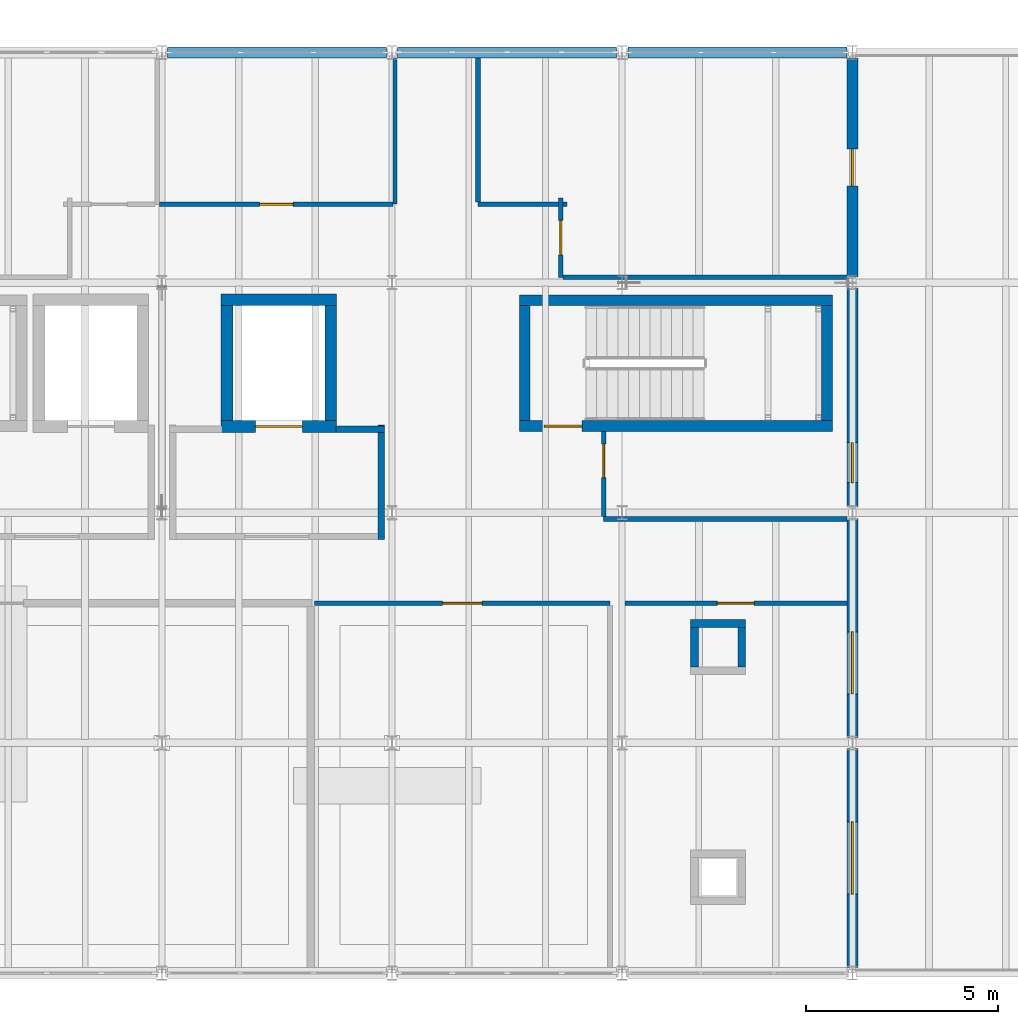
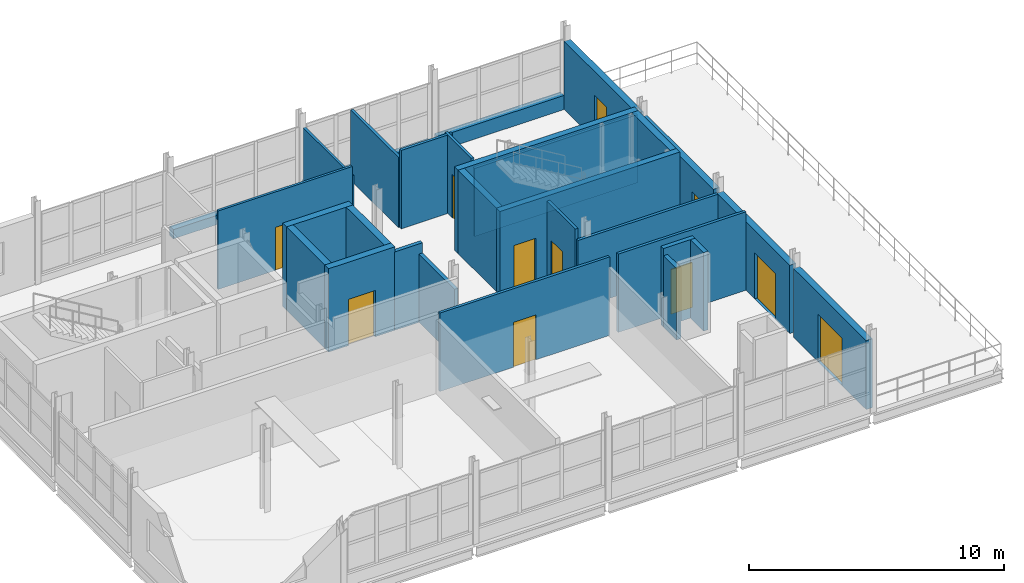
# One storey, part 19 of 23: 30 walls, 11 doors, 11 openings.
"""IFC4 building model written with IfcOpenShell, lengths in metres."""

from ifc_helpers import new_model, si_unit, direction, frame, frame_2d, origin, place, context, subcontext, project, spatial, rectangle, extrude, material, layer, layer_set, type_object, element, fill, save


model = new_model("IFC4")

# Units and contexts
model_context = context("Model", 3, precision=1e-05, world=origin(), true_north=direction((0.0, 1.0)))
body_context = subcontext(model_context, "Body", "Model", "MODEL_VIEW")
ifc_project = project(units=[si_unit("LENGTHUNIT", "METRE"), si_unit("AREAUNIT", "SQUARE_METRE"), si_unit("VOLUMEUNIT", "CUBIC_METRE"), si_unit("PLANEANGLEUNIT", "RADIAN"), si_unit("MASSUNIT", "GRAM", prefix="KILO")], contexts=[model_context])

# Site, building, storey
site_placement = place(None, origin())
site = spatial("IfcSite", under=ifc_project, at=site_placement, CompositionType="ELEMENT")
building_placement = place(site_placement, origin())
building = spatial("IfcBuilding", under=site, at=building_placement, Name="Siltcreek Boulevard Central Fire Station", CompositionType="ELEMENT")
storey_placement = place(building_placement, frame((0.0, 0.0, 14.0)))
storey = spatial("IfcBuildingStorey", under=building, at=storey_placement, Name="L04", CompositionType="ELEMENT", Elevation=14.0)

# Wall, opening, door
ifc_material_1 = material(Name="Concrete C40/50", Category="concrete")
ifc_layer_1 = layer(ifc_material_1, 0.280029296875, Name="Concrete C40/50")
ifc_layer_set_1 = layer_set([ifc_layer_1], Name="Concrete C40/50")
wall_type_1 = type_object("IfcWallType", Name="CW_SHEAR280", PredefinedType="SHEAR", material=ifc_layer_set_1)
wall_1_placement = place(storey_placement, frame((145.52001953125, 102.4599609375, 0.0), z_axis=(0.0, 0.0, 1.0), x_axis=(1.0, 0.0, 0.0)))
wall_1 = element("IfcWall", 1, at=wall_1_placement, inside=storey, type_object=wall_type_1, Name="L04 ST-V5B stair enclosure south shear wall", PredefinedType="SHEAR", context=body_context, shape_type="SweptSolid", body=[
    extrude(rectangle(XDim=8.159912109375, YDim=0.280029296875, at=frame_2d((4.080078125, 0.0))), origin(), (0.0, 0.0, 1.0), 4.0),
])
opening_1_placement = place(wall_1_placement, frame((0.64990234375, 0.0, 0.0)))
opening_1 = element("IfcOpeningElement", 2, at=opening_1_placement, cuts=wall_1, Name="Opening SD-042", PredefinedType="OPENING", context=body_context, shape_type="SweptSolid", body=[
    extrude(rectangle(XDim=0.97998046875, YDim=2.14990234375, at=frame_2d((0.489990234375, 1.074951171875))), frame((0.0, 0.14990234375, 0.0), z_axis=(0.0, -1.0, 0.0), x_axis=(1.0, 0.0, 0.0)), (0.0, 0.0, 1.0), 0.300048828125),
])
ifc_material_2 = material(Name="Hollow metal 90-min enclosed stair door")
door_type_1 = type_object("IfcDoorType", Name="DR_ST_098X215", OperationType="NOTDEFINED", PredefinedType="DOOR", material=ifc_material_2)
door_1_placement = place(opening_1_placement, origin())
door_1 = element("IfcDoor", 3, at=door_1_placement, inside=storey, type_object=door_type_1, Name="L04 ST-V5B enclosed exit stair door SD-042", OperationType="SINGLE_SWING_LEFT", OverallHeight=2.14990234375, OverallWidth=0.97998046875, PredefinedType="DOOR", context=body_context, shape_type="SweptSolid", body=[
    extrude(rectangle(XDim=0.97998046875, YDim=2.14990234375, at=frame_2d((0.489990234375, 1.074951171875))), frame((0.0, 0.02490234375, 0.0), z_axis=(0.0, -1.0, 0.0), x_axis=(1.0, 0.0, 0.0)), (0.0, 0.0, 1.0), 0.050048828125),
])
fill(opening_1, door_1)

# Walls
wall_2_placement = place(storey_placement, frame((153.679931640625, 105.739990234375, 0.0), z_axis=(0.0, 0.0, 1.0), x_axis=(-1.0, 0.0, 0.0)))
element("IfcWall", 4, at=wall_2_placement, inside=storey, type_object=wall_type_1, Name="L04 ST-V5B stair enclosure north shear wall", PredefinedType="SHEAR", context=body_context, shape_type="SweptSolid", body=[
    extrude(rectangle(XDim=8.159912109375, YDim=0.280029296875, at=frame_2d((4.080078125, 0.0))), origin(), (0.0, 0.0, 1.0), 4.0),
])
for number, where, z_axis, x_axis, name in (
    (5, (145.659912109375, 105.60009765625, 0.0), (0.0, 0.0, 1.0), (0.0, -1.0, 0.0), "L04 ST-V5B stair enclosure west shear wall"),
    (6, (153.5400390625, 102.60009765625, 0.0), (0.0, 0.0, 1.0), (0.0, 1.0, 0.0), "L04 ST-V5B stair enclosure east shear wall"),
):
    element("IfcWall", number, at=place(storey_placement, frame(where, z_axis=z_axis, x_axis=x_axis)), inside=storey, type_object=wall_type_1, Name=name, PredefinedType="SHEAR", context=body_context, shape_type="SweptSolid", body=[
        extrude(rectangle(XDim=3.0, YDim=0.280029296875, at=frame_2d((1.5, 0.0))), origin(), (0.0, 0.0, 1.0), 4.0),
    ])

# Wall, opening, door
ifc_layer_2 = layer(ifc_material_1, 0.304931640625, Name="Concrete C40/50")
ifc_layer_set_2 = layer_set([ifc_layer_2], Name="Concrete C40/50")
wall_type_2 = type_object("IfcWallType", Name="CW_SHEAR305", PredefinedType="SHEAR", material=ifc_layer_set_2)
wall_3_placement = place(storey_placement, frame((137.7451171875, 102.447509765625, 0.0), z_axis=(0.0, 0.0, 1.0), x_axis=(1.0, 0.0, 0.0)))
wall_3 = element("IfcWall", 7, at=wall_3_placement, inside=storey, type_object=wall_type_2, Name="L04 EL-02 elevator shaft south shear wall", PredefinedType="SHEAR", context=body_context, shape_type="SweptSolid", body=[
    extrude(rectangle(XDim=3.009765625, YDim=0.304931640625, at=frame_2d((1.5048828125, 0.0))), origin(), (0.0, 0.0, 1.0), 4.0),
])
opening_2_placement = place(wall_3_placement, frame((0.89501953125, 0.0, 0.0)))
opening_2 = element("IfcOpeningElement", 8, at=opening_2_placement, cuts=wall_3, Name="Opening LD02", PredefinedType="OPENING", context=body_context, shape_type="SweptSolid", body=[
    extrude(rectangle(XDim=1.219970703125, YDim=2.219970703125, at=frame_2d((0.60986328125, 1.10986328125))), frame((0.0, 0.162353515625, 0.0), z_axis=(0.0, -1.0, 0.0), x_axis=(1.0, 0.0, 0.0)), (0.0, 0.0, 1.0), 0.324951171875),
])
ifc_material_3 = material(Name="Stainless steel firefighting sliding elevator landing door", Category="steel")
door_type_2 = type_object("IfcDoorType", Name="DR_LD_122X222", OperationType="NOTDEFINED", PredefinedType="DOOR", material=ifc_material_3)
door_2_placement = place(opening_2_placement, origin())
door_2 = element("IfcDoor", 9, at=door_2_placement, inside=storey, type_object=door_type_2, Name="L04 EL-02 elevator sliding landing door LD-11", OperationType="SLIDING_TO_LEFT", OverallHeight=2.219970703125, OverallWidth=1.219970703125, PredefinedType="DOOR", context=body_context, shape_type="SweptSolid", body=[
    extrude(rectangle(XDim=1.219970703125, YDim=2.219970703125, at=frame_2d((0.60986328125, 1.10986328125))), frame((0.0, 0.02490234375, 0.0), z_axis=(0.0, -1.0, 0.0), x_axis=(1.0, 0.0, 0.0)), (0.0, 0.0, 1.0), 0.050048828125),
])
fill(opening_2, door_2)

# Walls
wall_4_placement = place(storey_placement, frame((140.7548828125, 105.75244140625, 0.0), z_axis=(0.0, 0.0, 1.0), x_axis=(-1.0, 0.0, 0.0)))
element("IfcWall", 10, at=wall_4_placement, inside=storey, type_object=wall_type_2, Name="L04 EL-02 elevator shaft north shear wall", PredefinedType="SHEAR", context=body_context, shape_type="SweptSolid", body=[
    extrude(rectangle(XDim=3.009765625, YDim=0.304931640625, at=frame_2d((1.5048828125, 0.0))), origin(), (0.0, 0.0, 1.0), 4.0),
])
for number, where, z_axis, x_axis, name in (
    (11, (137.8974609375, 105.60009765625, 0.0), (0.0, 0.0, 1.0), (0.0, -1.0, 0.0), "L04 EL-02 elevator shaft west shear wall"),
    (12, (140.6025390625, 102.60009765625, 0.0), (0.0, 0.0, 1.0), (0.0, 1.0, 0.0), "L04 EL-02 elevator shaft east shear wall"),
):
    element("IfcWall", number, at=place(storey_placement, frame(where, z_axis=z_axis, x_axis=x_axis)), inside=storey, type_object=wall_type_2, Name=name, PredefinedType="SHEAR", context=body_context, shape_type="SweptSolid", body=[
        extrude(rectangle(XDim=3.0, YDim=0.304931640625, at=frame_2d((1.5, 0.0))), origin(), (0.0, 0.0, 1.0), 4.0),
    ])
ifc_material_4 = material(Name="White ribbed aluminum spandrel wall", Category="aluminium")
ifc_layer_3 = layer(ifc_material_4, 0.2900390625, Name="White ribbed aluminum spandrel wall")
ifc_layer_set_3 = layer_set([ifc_layer_3], Name="White ribbed aluminum spandrel wall")
wall_type_3 = type_object("IfcWallType", Name="EW_METAL290", PredefinedType="STANDARD", material=ifc_layer_set_3)
wall_5_placement = place(storey_placement, frame((142.054931640625, 112.199951171875, 0.0), z_axis=(0.0, 0.0, 1.0), x_axis=(-1.0, 0.0, 0.0)))
element("IfcWall", 13, at=wall_5_placement, inside=storey, type_object=wall_type_3, Name="L04 V5 curtain-wall sill spandrel 0402", PredefinedType="STANDARD", context=body_context, shape_type="SweptSolid", body=[
    extrude(rectangle(XDim=5.7099609375, YDim=0.2900390625, at=frame_2d((2.85498046875, 0.0))), origin(), (0.0, 0.0, 1.0), 0.43994140625),
])
wall_6_placement = place(storey_placement, frame((148.054931640625, 112.199951171875, 0.0), z_axis=(0.0, 0.0, 1.0), x_axis=(-1.0, 0.0, 0.0)))
element("IfcWall", 14, at=wall_6_placement, inside=storey, type_object=wall_type_3, Name="L04 V5 curtain-wall sill spandrel 0403", PredefinedType="STANDARD", context=body_context, shape_type="SweptSolid", body=[
    extrude(rectangle(XDim=5.7099609375, YDim=0.2900390625, at=frame_2d((2.85498046875, 0.0))), origin(), (0.0, 0.0, 1.0), 0.56005859375),
])
wall_7_placement = place(storey_placement, frame((154.054931640625, 112.199951171875, 0.0), z_axis=(0.0, 0.0, 1.0), x_axis=(-1.0, 0.0, 0.0)))
element("IfcWall", 15, at=wall_7_placement, inside=storey, type_object=wall_type_3, Name="L04 V5 curtain-wall sill spandrel 0404", PredefinedType="STANDARD", context=body_context, shape_type="SweptSolid", body=[
    extrude(rectangle(XDim=5.7099609375, YDim=0.2900390625, at=frame_2d((2.85498046875, 0.0))), origin(), (0.0, 0.0, 1.0), 0.679931640625),
])

# Wall, opening, door
wall_8_placement = place(storey_placement, frame((154.199951171875, 88.344970703125, 0.0), z_axis=(0.0, 0.0, 1.0), x_axis=(0.0, 1.0, 0.0)))
wall_8 = element("IfcWall", 16, at=wall_8_placement, inside=storey, type_object=wall_type_3, Name="L04 V5 exterior insulated rainscreen wall WL-EXT-L04-0409", PredefinedType="STANDARD", context=body_context, shape_type="SweptSolid", body=[
    extrude(rectangle(XDim=5.7099609375, YDim=0.2900390625, at=frame_2d((2.85498046875, 0.0))), origin(), (0.0, 0.0, 1.0), 3.302978515625),
])
opening_3_placement = place(wall_8_placement, frame((1.9150390625, 0.0, 0.0)))
opening_3 = element("IfcOpeningElement", 17, at=opening_3_placement, cuts=wall_8, Name="Opening TD-033", PredefinedType="OPENING", context=body_context, shape_type="SweptSolid", body=[
    extrude(rectangle(XDim=1.8798828125, YDim=2.280029296875, at=frame_2d((0.93994140625, 1.14013671875))), frame((0.0, 0.155029296875, 0.0), z_axis=(0.0, -1.0, 0.0), x_axis=(1.0, 0.0, 0.0)), (0.0, 0.0, 1.0), 0.31005859375),
])
ifc_material_5 = material(Name="Thermally broken glazed terrace double door")
door_type_3 = type_object("IfcDoorType", Name="DR_TER_188X228", OperationType="NOTDEFINED", PredefinedType="DOOR", material=ifc_material_5)
door_3_placement = place(opening_3_placement, frame((1.8798828125, 0.0, 0.0), z_axis=(0.0, 0.0, 1.0), x_axis=(-1.0, 0.0, 0.0)))
door_3 = element("IfcDoor", 18, at=door_3_placement, inside=storey, type_object=door_type_3, Name="L04 V5 outdoor terrace access door TD-033", OperationType="DOUBLE_DOOR_SINGLE_SWING", OverallHeight=2.280029296875, OverallWidth=1.8798828125, PredefinedType="DOOR", context=body_context, shape_type="SweptSolid", body=[
    extrude(rectangle(XDim=1.8798828125, YDim=2.280029296875, at=frame_2d((0.93994140625, 1.14013671875))), frame((0.0, 0.02490234375, 0.0), z_axis=(0.0, -1.0, 0.0), x_axis=(1.0, 0.0, 0.0)), (0.0, 0.0, 1.0), 0.050048828125),
])
fill(opening_3, door_3)

wall_9_placement = place(storey_placement, frame((154.199951171875, 94.344970703125, 0.0), z_axis=(0.0, 0.0, 1.0), x_axis=(0.0, 1.0, 0.0)))
wall_9 = element("IfcWall", 19, at=wall_9_placement, inside=storey, type_object=wall_type_3, Name="L04 V5 exterior insulated rainscreen wall WL-EXT-L04-0410", PredefinedType="STANDARD", context=body_context, shape_type="SweptSolid", body=[
    extrude(rectangle(XDim=5.7099609375, YDim=0.2900390625, at=frame_2d((2.85498046875, 0.0))), origin(), (0.0, 0.0, 1.0), 3.27294921875),
])
opening_4_placement = place(wall_9_placement, frame((1.132568359375, 0.0, 0.0)))
opening_4 = element("IfcOpeningElement", 20, at=opening_4_placement, cuts=wall_9, Name="Opening TD-034", PredefinedType="OPENING", context=body_context, shape_type="SweptSolid", body=[
    extrude(rectangle(XDim=1.6201171875, YDim=2.199951171875, at=frame_2d((0.81005859375, 1.10009765625))), frame((0.0, 0.155029296875, 0.0), z_axis=(0.0, -1.0, 0.0), x_axis=(1.0, 0.0, 0.0)), (0.0, 0.0, 1.0), 0.31005859375),
])
ifc_material_6 = material(Name="Thermally broken glazed terrace pair")
door_type_4 = type_object("IfcDoorType", Name="DR_TER_162X220", OperationType="NOTDEFINED", PredefinedType="DOOR", material=ifc_material_6)
door_4_placement = place(opening_4_placement, frame((1.6201171875, 0.0, 0.0), z_axis=(0.0, 0.0, 1.0), x_axis=(-1.0, 0.0, 0.0)))
door_4 = element("IfcDoor", 21, at=door_4_placement, inside=storey, type_object=door_type_4, Name="L04 V5 outdoor terrace access door TD-034", OperationType="DOUBLE_DOOR_SINGLE_SWING", OverallHeight=2.199951171875, OverallWidth=1.6201171875, PredefinedType="DOOR", context=body_context, shape_type="SweptSolid", body=[
    extrude(rectangle(XDim=1.6201171875, YDim=2.199951171875, at=frame_2d((0.81005859375, 1.10009765625))), frame((0.0, 0.02490234375, 0.0), z_axis=(0.0, -1.0, 0.0), x_axis=(1.0, 0.0, 0.0)), (0.0, 0.0, 1.0), 0.050048828125),
])
fill(opening_4, door_4)

wall_10_placement = place(storey_placement, frame((154.199951171875, 100.344970703125, 0.0), z_axis=(0.0, 0.0, 1.0), x_axis=(0.0, 1.0, 0.0)))
wall_10 = element("IfcWall", 22, at=wall_10_placement, inside=storey, type_object=wall_type_3, Name="L04 V5 exterior insulated rainscreen wall WL-EXT-L04-0411", PredefinedType="STANDARD", context=body_context, shape_type="SweptSolid", body=[
    extrude(rectangle(XDim=5.7099609375, YDim=0.2900390625, at=frame_2d((2.85498046875, 0.0))), origin(), (0.0, 0.0, 1.0), 3.27294921875),
])
opening_5_placement = place(wall_10_placement, frame((0.64306640625, 0.0, 0.0)))
opening_5 = element("IfcOpeningElement", 23, at=opening_5_placement, cuts=wall_10, Name="Opening TD-035", PredefinedType="OPENING", context=body_context, shape_type="SweptSolid", body=[
    extrude(rectangle(XDim=1.0400390625, YDim=2.159912109375, at=frame_2d((0.52001953125, 1.080078125))), frame((0.0, 0.155029296875, 0.0), z_axis=(0.0, -1.0, 0.0), x_axis=(1.0, 0.0, 0.0)), (0.0, 0.0, 1.0), 0.31005859375),
])
ifc_material_7 = material(Name="Thermally broken glazed terrace single door")
door_type_5 = type_object("IfcDoorType", Name="DR_TER_104X216", OperationType="NOTDEFINED", PredefinedType="DOOR", material=ifc_material_7)
door_5_placement = place(opening_5_placement, frame((1.0400390625, 0.0, 0.0), z_axis=(0.0, 0.0, 1.0), x_axis=(-1.0, 0.0, 0.0)))
door_5 = element("IfcDoor", 24, at=door_5_placement, inside=storey, type_object=door_type_5, Name="L04 V5 outdoor terrace access door TD-035", OperationType="SINGLE_SWING_RIGHT", OverallHeight=2.159912109375, OverallWidth=1.0400390625, PredefinedType="DOOR", context=body_context, shape_type="SweptSolid", body=[
    extrude(rectangle(XDim=1.0400390625, YDim=2.159912109375, at=frame_2d((0.52001953125, 1.080078125))), frame((0.0, 0.02490234375, 0.0), z_axis=(0.0, -1.0, 0.0), x_axis=(1.0, 0.0, 0.0)), (0.0, 0.0, 1.0), 0.050048828125),
])
fill(opening_5, door_5)

wall_11_placement = place(storey_placement, frame((154.199951171875, 106.344970703125, 0.0), z_axis=(0.0, 0.0, 1.0), x_axis=(0.0, 1.0, 0.0)))
wall_11 = element("IfcWall", 25, at=wall_11_placement, inside=storey, type_object=wall_type_3, Name="L04 V5 exterior insulated rainscreen wall WL-EXT-L04-0412", PredefinedType="STANDARD", context=body_context, shape_type="SweptSolid", body=[
    extrude(rectangle(XDim=5.7099609375, YDim=0.2900390625, at=frame_2d((2.85498046875, 0.0))), origin(), (0.0, 0.0, 1.0), 3.27294921875),
])
opening_6_placement = place(wall_11_placement, frame((2.375, 0.0, 0.0)))
opening_6 = element("IfcOpeningElement", 26, at=opening_6_placement, cuts=wall_11, Name="Opening TD-036", PredefinedType="OPENING", context=body_context, shape_type="SweptSolid", body=[
    extrude(rectangle(XDim=0.9599609375, YDim=2.139892578125, at=frame_2d((0.47998046875, 1.06982421875))), frame((0.0, 0.155029296875, 0.0), z_axis=(0.0, -1.0, 0.0), x_axis=(1.0, 0.0, 0.0)), (0.0, 0.0, 1.0), 0.31005859375),
])
ifc_material_8 = material(Name="Thermally broken roof garden door")
door_type_6 = type_object("IfcDoorType", Name="DR_TER_096X214", OperationType="NOTDEFINED", PredefinedType="DOOR", material=ifc_material_8)
door_6_placement = place(opening_6_placement, frame((0.9599609375, 0.0, 0.0), z_axis=(0.0, 0.0, 1.0), x_axis=(-1.0, 0.0, 0.0)))
door_6 = element("IfcDoor", 27, at=door_6_placement, inside=storey, type_object=door_type_6, Name="L04 V5 outdoor terrace access door TD-036", OperationType="SINGLE_SWING_LEFT", OverallHeight=2.139892578125, OverallWidth=0.9599609375, PredefinedType="DOOR", context=body_context, shape_type="SweptSolid", body=[
    extrude(rectangle(XDim=0.9599609375, YDim=2.139892578125, at=frame_2d((0.47998046875, 1.06982421875))), frame((0.0, 0.02490234375, 0.0), z_axis=(0.0, -1.0, 0.0), x_axis=(1.0, 0.0, 0.0)), (0.0, 0.0, 1.0), 0.050048828125),
])
fill(opening_6, door_6)

# Walls
ifc_material_9 = material(Name="Fire-rated concrete masonry and gypsum barrier", Category="masonry")
ifc_layer_4 = layer(ifc_material_9, 0.199951171875, Name="Fire-rated concrete masonry and gypsum barrier")
ifc_layer_set_4 = layer_set([ifc_layer_4], Name="Fire-rated concrete masonry and gypsum barrier")
wall_type_4 = type_object("IfcWallType", Name="IW_FIRE200", PredefinedType="PARTITIONING", material=ifc_layer_set_4)
wall_12_placement = place(storey_placement, frame((151.31494140625, 96.18505859375, 0.0), z_axis=(0.0, 0.0, 1.0), x_axis=(0.0, 1.0, 0.0)))
element("IfcWall", 28, at=wall_12_placement, inside=storey, type_object=wall_type_4, Name="L04 enclosed MEP service riser wall 029-E", PredefinedType="PARTITIONING", context=body_context, shape_type="SweptSolid", body=[
    extrude(rectangle(XDim=1.030029296875, YDim=0.199951171875, at=frame_2d((0.51513671875, 0.0))), origin(), (0.0, 0.0, 1.0), 3.760009765625),
])
wall_13_placement = place(storey_placement, frame((151.4150390625, 97.31494140625, 0.0), z_axis=(0.0, 0.0, 1.0), x_axis=(-1.0, 0.0, 0.0)))
element("IfcWall", 29, at=wall_13_placement, inside=storey, type_object=wall_type_4, Name="L04 enclosed MEP service riser wall 029-N", PredefinedType="PARTITIONING", context=body_context, shape_type="SweptSolid", body=[
    extrude(rectangle(XDim=1.429931640625, YDim=0.199951171875, at=frame_2d((0.71484375, 0.0))), origin(), (0.0, 0.0, 1.0), 3.760009765625),
])
wall_14_placement = place(storey_placement, frame((150.0849609375, 97.215087890625, 0.0), z_axis=(0.0, 0.0, 1.0), x_axis=(0.0, -1.0, 0.0)))
element("IfcWall", 30, at=wall_14_placement, inside=storey, type_object=wall_type_4, Name="L04 enclosed MEP service riser wall 029-W", PredefinedType="PARTITIONING", context=body_context, shape_type="SweptSolid", body=[
    extrude(rectangle(XDim=1.030029296875, YDim=0.199951171875, at=frame_2d((0.51513671875, 0.0))), origin(), (0.0, 0.0, 1.0), 3.4189453125),
])

# Wall, opening, door
ifc_material_10 = material(Name="Interior steel stud gypsum partition", Category="steel")
ifc_layer_5 = layer(ifc_material_10, 0.125, Name="Interior steel stud gypsum partition")
ifc_layer_set_5 = layer_set([ifc_layer_5], Name="Interior steel stud gypsum partition")
wall_type_5 = type_object("IfcWallType", Name="IW_PART125", PredefinedType="PARTITIONING", material=ifc_layer_set_5)
wall_15_placement = place(storey_placement, frame((140.179931640625, 97.840087890625, 0.0), z_axis=(0.0, 0.0, 1.0), x_axis=(1.0, 0.0, 0.0)))
wall_15 = element("IfcWall", 31, at=wall_15_placement, inside=storey, type_object=wall_type_5, Name="L04 Tactical CAD Operations Room partition 0309", PredefinedType="PARTITIONING", context=body_context, shape_type="SweptSolid", body=[
    extrude(rectangle(XDim=7.70263671875, YDim=0.125, at=frame_2d((3.851318359375, 0.0))), origin(), (0.0, 0.0, 1.0), 3.760009765625),
])
opening_7_placement = place(wall_15_placement, frame((3.336181640625, 0.0, 0.0)))
opening_7 = element("IfcOpeningElement", 32, at=opening_7_placement, cuts=wall_15, Name="Opening ID01", PredefinedType="OPENING", context=body_context, shape_type="SweptSolid", body=[
    extrude(rectangle(XDim=1.030029296875, YDim=2.14990234375, at=frame_2d((0.51513671875, 1.074951171875))), frame((0.0, 0.072509765625, 0.0), z_axis=(0.0, -1.0, 0.0), x_axis=(1.0, 0.0, 0.0)), (0.0, 0.0, 1.0), 0.14501953125),
])
ifc_material_11 = material(Name="Solid-core timber acoustic classroom door", Category="wood")
door_type_7 = type_object("IfcDoorType", Name="DR_CLS_103X215", OperationType="NOTDEFINED", PredefinedType="DOOR", material=ifc_material_11)
door_7_placement = place(opening_7_placement, frame((1.030029296875, 0.0, 0.0), z_axis=(0.0, 0.0, 1.0), x_axis=(-1.0, 0.0, 0.0)))
door_7 = element("IfcDoor", 33, at=door_7_placement, inside=storey, type_object=door_type_7, Name="L04 Tactical CAD Operations Room door ID-0137", OperationType="SINGLE_SWING_RIGHT", OverallHeight=2.14990234375, OverallWidth=1.030029296875, PredefinedType="DOOR", context=body_context, shape_type="SweptSolid", body=[
    extrude(rectangle(XDim=1.030029296875, YDim=2.14990234375, at=frame_2d((0.51513671875, 1.074951171875))), frame((0.0, 0.02490234375, 0.0), z_axis=(0.0, -1.0, 0.0), x_axis=(1.0, 0.0, 0.0)), (0.0, 0.0, 1.0), 0.050048828125),
])
fill(opening_7, door_7)

wall_16_placement = place(storey_placement, frame((148.267578125, 97.840087890625, 0.0), z_axis=(0.0, 0.0, 1.0), x_axis=(1.0, 0.0, 0.0)))
wall_16 = element("IfcWall", 34, at=wall_16_placement, inside=storey, type_object=wall_type_5, Name="L04 Media Briefing Room partition 0311", PredefinedType="PARTITIONING", context=body_context, shape_type="SweptSolid", body=[
    extrude(rectangle(XDim=5.787353515625, YDim=0.125, at=frame_2d((2.8935546875, 0.0))), origin(), (0.0, 0.0, 1.0), 3.760009765625),
])
opening_8_placement = place(wall_16_placement, frame((2.413818359375, 0.0, 0.0)))
opening_8 = element("IfcOpeningElement", 35, at=opening_8_placement, cuts=wall_16, Name="Opening ID02", PredefinedType="OPENING", context=body_context, shape_type="SweptSolid", body=[
    extrude(rectangle(XDim=0.9599609375, YDim=2.14990234375, at=frame_2d((0.47998046875, 1.074951171875))), frame((0.0, 0.072509765625, 0.0), z_axis=(0.0, -1.0, 0.0), x_axis=(1.0, 0.0, 0.0)), (0.0, 0.0, 1.0), 0.14501953125),
])
ifc_material_12 = material(Name="Solid-core timber headquarters office door", Category="wood")
door_type_8 = type_object("IfcDoorType", Name="DR_OFF_096X215", OperationType="NOTDEFINED", PredefinedType="DOOR", material=ifc_material_12)
door_8_placement = place(opening_8_placement, origin())
door_8 = element("IfcDoor", 36, at=door_8_placement, inside=storey, type_object=door_type_8, Name="L04 Media Briefing Room door ID-0138", OperationType="SINGLE_SWING_LEFT", OverallHeight=2.14990234375, OverallWidth=0.9599609375, PredefinedType="DOOR", context=body_context, shape_type="SweptSolid", body=[
    extrude(rectangle(XDim=0.9599609375, YDim=2.14990234375, at=frame_2d((0.47998046875, 1.074951171875))), frame((0.0, 0.02490234375, 0.0), z_axis=(0.0, -1.0, 0.0), x_axis=(1.0, 0.0, 0.0)), (0.0, 0.0, 1.0), 0.050048828125),
])
fill(opening_8, door_8)

wall_17_placement = place(storey_placement, frame((146.60009765625, 106.33740234375, 0.0), z_axis=(0.0, 0.0, 1.0), x_axis=(0.0, 1.0, 0.0)))
wall_17 = element("IfcWall", 37, at=wall_17_placement, inside=storey, type_object=wall_type_5, Name="L04 Dispatch Server and Radio Telemetry Lab partition 0318", PredefinedType="PARTITIONING", context=body_context, shape_type="SweptSolid", body=[
    extrude(rectangle(XDim=2.065185546875, YDim=0.125, at=frame_2d((1.03271484375, 0.0))), origin(), (0.0, 0.0, 1.0), 3.760009765625),
])
opening_9_placement = place(wall_17_placement, frame((0.58251953125, 0.0, 0.0)))
opening_9 = element("IfcOpeningElement", 38, at=opening_9_placement, cuts=wall_17, Name="Opening ID08", PredefinedType="OPENING", context=body_context, shape_type="SweptSolid", body=[
    extrude(rectangle(XDim=0.89990234375, YDim=2.10009765625, at=frame_2d((0.449951171875, 1.050048828125))), frame((0.0, 0.072509765625, 0.0), z_axis=(0.0, -1.0, 0.0), x_axis=(1.0, 0.0, 0.0)), (0.0, 0.0, 1.0), 0.14501953125),
])
ifc_material_13 = material(Name="Moisture-resistant accessible toilet door")
door_type_9 = type_object("IfcDoorType", Name="DR_WC_090X210", OperationType="NOTDEFINED", PredefinedType="DOOR", material=ifc_material_13)
door_9_placement = place(opening_9_placement, frame((0.89990234375, 0.0, 0.0), z_axis=(0.0, 0.0, 1.0), x_axis=(-1.0, 0.0, 0.0)))
door_9 = element("IfcDoor", 39, at=door_9_placement, inside=storey, type_object=door_type_9, Name="L04 Dispatch Server and Radio Telemetry Lab door ID-0141", OperationType="SINGLE_SWING_RIGHT", OverallHeight=2.10009765625, OverallWidth=0.89990234375, PredefinedType="DOOR", context=body_context, shape_type="SweptSolid", body=[
    extrude(rectangle(XDim=0.89990234375, YDim=2.10009765625, at=frame_2d((0.449951171875, 1.050048828125))), frame((0.0, 0.02490234375, 0.0), z_axis=(0.0, -1.0, 0.0), x_axis=(1.0, 0.0, 0.0)), (0.0, 0.0, 1.0), 0.050048828125),
])
fill(opening_9, door_9)

# Walls
wall_18_placement = place(storey_placement, frame((146.762451171875, 108.239990234375, 0.0), z_axis=(0.0, 0.0, 1.0), x_axis=(-1.0, 0.0, 0.0)))
element("IfcWall", 40, at=wall_18_placement, inside=storey, type_object=wall_type_5, Name="L04 Dispatch Server and Radio Telemetry Lab partition 0319", PredefinedType="PARTITIONING", context=body_context, shape_type="SweptSolid", body=[
    extrude(rectangle(XDim=2.324951171875, YDim=0.125, at=frame_2d((1.16259765625, 0.0))), origin(), (0.0, 0.0, 1.0), 3.760009765625),
])
wall_19_placement = place(storey_placement, frame((144.43994140625, 108.302490234375, 0.0), z_axis=(0.0, 0.0, 1.0), x_axis=(0.0, 1.0, 0.0)))
element("IfcWall", 41, at=wall_19_placement, inside=storey, type_object=wall_type_5, Name="L04 Dispatch Server and Radio Telemetry Lab partition 0320", PredefinedType="PARTITIONING", context=body_context, shape_type="SweptSolid", body=[
    extrude(rectangle(XDim=3.75244140625, YDim=0.125, at=frame_2d((1.876220703125, 0.0))), origin(), (0.0, 0.0, 1.0), 3.3740234375),
])
wall_20_placement = place(storey_placement, frame((154.054931640625, 106.340087890625, 0.0), z_axis=(0.0, 0.0, 1.0), x_axis=(-1.0, 0.0, 0.0)))
element("IfcWall", 42, at=wall_20_placement, inside=storey, type_object=wall_type_5, Name="L04 Dispatch Server and Radio Telemetry Lab partition 0321", PredefinedType="PARTITIONING", context=body_context, shape_type="SweptSolid", body=[
    extrude(rectangle(XDim=7.392333984375, YDim=0.125, at=frame_2d((3.6962890625, 0.0))), origin(), (0.0, 0.0, 1.0), 3.26904296875),
])
wall_21_placement = place(storey_placement, frame((154.054931640625, 100.0400390625, 0.0), z_axis=(0.0, 0.0, 1.0), x_axis=(-1.0, 0.0, 0.0)))
element("IfcWall", 43, at=wall_21_placement, inside=storey, type_object=wall_type_5, Name="L04 911 Call Recording Archive Office partition 0322", PredefinedType="PARTITIONING", context=body_context, shape_type="SweptSolid", body=[
    extrude(rectangle(XDim=6.33740234375, YDim=0.125, at=frame_2d((3.168701171875, 0.0))), origin(), (0.0, 0.0, 1.0), 3.26904296875),
])

# Wall, opening, door
wall_22_placement = place(storey_placement, frame((147.719970703125, 100.1025390625, 0.0), z_axis=(0.0, 0.0, 1.0), x_axis=(0.0, 1.0, 0.0)))
wall_22 = element("IfcWall", 44, at=wall_22_placement, inside=storey, type_object=wall_type_5, Name="L04 911 Call Recording Archive Office partition 0323", PredefinedType="PARTITIONING", context=body_context, shape_type="SweptSolid", body=[
    extrude(rectangle(XDim=2.217529296875, YDim=0.125, at=frame_2d((1.10888671875, 0.0))), origin(), (0.0, 0.0, 1.0), 3.760009765625),
])
opening_10_placement = place(wall_22_placement, frame((1.01611328125, 0.0, 0.0)))
opening_10 = element("IfcOpeningElement", 45, at=opening_10_placement, cuts=wall_22, Name="Opening ID09", PredefinedType="OPENING", context=body_context, shape_type="SweptSolid", body=[
    extrude(rectangle(XDim=0.8701171875, YDim=2.06005859375, at=frame_2d((0.43505859375, 1.030029296875))), frame((0.0, 0.072509765625, 0.0), z_axis=(0.0, -1.0, 0.0), x_axis=(1.0, 0.0, 0.0)), (0.0, 0.0, 1.0), 0.14501953125),
])
ifc_material_14 = material(Name="Moisture-resistant staff toilet door")
door_type_10 = type_object("IfcDoorType", Name="DR_WC_087X206", OperationType="NOTDEFINED", PredefinedType="DOOR", material=ifc_material_14)
door_10_placement = place(opening_10_placement, frame((0.8701171875, 0.0, 0.0), z_axis=(0.0, 0.0, 1.0), x_axis=(-1.0, 0.0, 0.0)))
door_10 = element("IfcDoor", 46, at=door_10_placement, inside=storey, type_object=door_type_10, Name="L04 911 Call Recording Archive Office door ID-0142", OperationType="SINGLE_SWING_LEFT", OverallHeight=2.06005859375, OverallWidth=0.8701171875, PredefinedType="DOOR", context=body_context, shape_type="SweptSolid", body=[
    extrude(rectangle(XDim=0.8701171875, YDim=2.06005859375, at=frame_2d((0.43505859375, 1.030029296875))), frame((0.0, 0.02490234375, 0.0), z_axis=(0.0, -1.0, 0.0), x_axis=(1.0, 0.0, 0.0)), (0.0, 0.0, 1.0), 0.050048828125),
])
fill(opening_10, door_10)

# Walls
ifc_material_15 = material(Name="Acoustic smoke-barrier steel stud gypsum wall", Category="steel")
ifc_layer_6 = layer(ifc_material_15, 0.1650390625, Name="Acoustic smoke-barrier steel stud gypsum wall")
ifc_layer_set_6 = layer_set([ifc_layer_6], Name="Acoustic smoke-barrier steel stud gypsum wall")
wall_type_6 = type_object("IfcWallType", Name="IW_SMK165", PredefinedType="PARTITIONING", material=ifc_layer_set_6)
wall_23_placement = place(storey_placement, frame((141.919921875, 102.487548828125, 0.0), z_axis=(0.0, 0.0, 1.0), x_axis=(0.0, -1.0, 0.0)))
element("IfcWall", 47, at=wall_23_placement, inside=storey, type_object=wall_type_6, Name="L04 EL-02 elevator lobby E smoke partition", PredefinedType="PARTITIONING", context=body_context, shape_type="SweptSolid", body=[
    extrude(rectangle(XDim=2.987548828125, YDim=0.1650390625, at=frame_2d((1.49365234375, 0.0))), origin(), (0.0, 0.0, 1.0), 3.27294921875),
])
wall_24_placement = place(storey_placement, frame((140.735107421875, 102.375, 0.0), z_axis=(0.0, 0.0, 1.0), x_axis=(1.0, 0.0, 0.0)))
element("IfcWall", 48, at=wall_24_placement, inside=storey, type_object=wall_type_6, Name="L04 EL-02 elevator lobby NE smoke partition", PredefinedType="PARTITIONING", context=body_context, shape_type="SweptSolid", body=[
    extrude(rectangle(XDim=1.264892578125, YDim=0.1650390625, at=frame_2d((0.63232421875, 0.0))), origin(), (0.0, 0.0, 1.0), 3.760009765625),
])
ifc_material_16 = material(Name="Moisture-resistant tile backer toilet partition", Category="gypsum")
ifc_layer_7 = layer(ifc_material_16, 0.110107421875, Name="Moisture-resistant tile backer toilet partition")
ifc_layer_set_7 = layer_set([ifc_layer_7], Name="Moisture-resistant tile backer toilet partition")
wall_type_7 = type_object("IfcWallType", Name="IW_WET110", PredefinedType="PARTITIONING", material=ifc_layer_set_7)
wall_25_placement = place(storey_placement, frame((142.280029296875, 112.054931640625, 0.0), z_axis=(0.0, 0.0, 1.0), x_axis=(0.0, -1.0, 0.0)))
element("IfcWall", 49, at=wall_25_placement, inside=storey, type_object=wall_type_7, Name="L04 Dispatch Accessible Toilet L04 partition 0316", PredefinedType="PARTITIONING", context=body_context, shape_type="SweptSolid", body=[
    extrude(rectangle(XDim=3.809814453125, YDim=0.110107421875, at=frame_2d((1.90478515625, 0.0))), origin(), (0.0, 0.0, 1.0), 3.27294921875),
])

# Wall, opening, door
wall_26_placement = place(storey_placement, frame((142.22509765625, 108.239990234375, 0.0), z_axis=(0.0, 0.0, 1.0), x_axis=(-1.0, 0.0, 0.0)))
wall_26 = element("IfcWall", 50, at=wall_26_placement, inside=storey, type_object=wall_type_7, Name="L04 Dispatch Accessible Toilet L04 partition 0317", PredefinedType="PARTITIONING", context=body_context, shape_type="SweptSolid", body=[
    extrude(rectangle(XDim=6.08251953125, YDim=0.110107421875, at=frame_2d((3.041259765625, 0.0))), origin(), (0.0, 0.0, 1.0), 3.760009765625),
])
opening_11_placement = place(wall_26_placement, frame((2.606201171875, 0.0, 0.0)))
opening_11 = element("IfcOpeningElement", 51, at=opening_11_placement, cuts=wall_26, Name="Opening ID09", PredefinedType="OPENING", context=body_context, shape_type="SweptSolid", body=[
    extrude(rectangle(XDim=0.8701171875, YDim=2.06005859375, at=frame_2d((0.43505859375, 1.030029296875))), frame((0.0, 0.06494140625, 0.0), z_axis=(0.0, -1.0, 0.0), x_axis=(1.0, 0.0, 0.0)), (0.0, 0.0, 1.0), 0.130126953125),
])
door_11_placement = place(opening_11_placement, frame((0.8701171875, 0.0, 0.0), z_axis=(0.0, 0.0, 1.0), x_axis=(-1.0, 0.0, 0.0)))
door_11 = element("IfcDoor", 52, at=door_11_placement, inside=storey, type_object=door_type_10, Name="L04 Dispatch Accessible Toilet L04 door ID-0140", OperationType="SINGLE_SWING_LEFT", OverallHeight=2.06005859375, OverallWidth=0.8701171875, PredefinedType="DOOR", context=body_context, shape_type="SweptSolid", body=[
    extrude(rectangle(XDim=0.8701171875, YDim=2.06005859375, at=frame_2d((0.43505859375, 1.030029296875))), frame((0.0, 0.02490234375, 0.0), z_axis=(0.0, -1.0, 0.0), x_axis=(1.0, 0.0, 0.0)), (0.0, 0.0, 1.0), 0.050048828125),
])
fill(opening_11, door_11)

save(model, "model.ifc")
